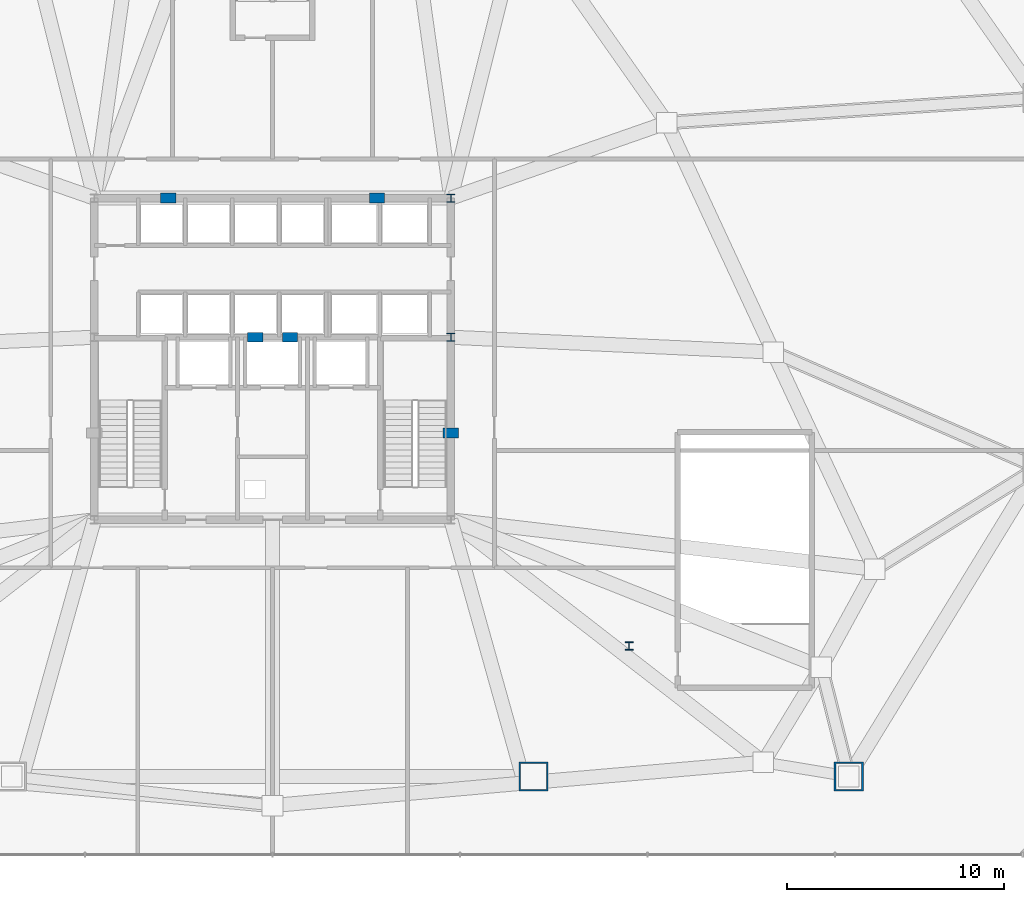
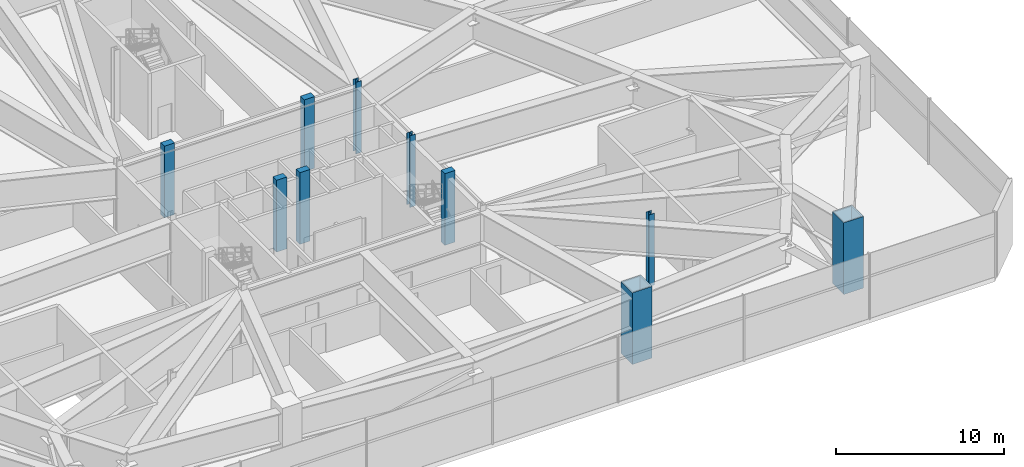
# One storey, part 2 of 29: 10 columns.
"""IFC4 building model written with IfcOpenShell, lengths in metres."""

from ifc_helpers import new_model, si_unit, direction, frame, origin, origin_2d, place, context, subcontext, project, spatial, rectangle, hollow_rectangle, i_section, extrude, material, material_profile, profile_set, type_object, element, save


model = new_model("IFC4")

# Units and contexts
model_context = context("Model", 3, precision=1e-05, world=origin(), true_north=direction((0.0, 1.0)))
body_context = subcontext(model_context, "Body", "Model", "MODEL_VIEW")
ifc_project = project(units=[si_unit("LENGTHUNIT", "METRE"), si_unit("AREAUNIT", "SQUARE_METRE"), si_unit("VOLUMEUNIT", "CUBIC_METRE"), si_unit("PLANEANGLEUNIT", "RADIAN"), si_unit("MASSUNIT", "GRAM", prefix="KILO")], contexts=[model_context])

# Site, building, storey
site_placement = place(None, origin())
site = spatial("IfcSite", under=ifc_project, at=site_placement, CompositionType="ELEMENT")
building_placement = place(site_placement, origin())
building = spatial("IfcBuilding", under=site, at=building_placement, Name="Varakhsha Concourse Tower", CompositionType="ELEMENT")
storey_placement = place(building_placement, frame((0.0, 0.0, 22.0)))
storey = spatial("IfcBuildingStorey", under=building, at=storey_placement, Name="L05", CompositionType="ELEMENT", Elevation=22.0)

# Columns
ifc_material_1 = material(Name="Structural Steel ASTM A992 Grade 50", Category="steel")
ifc_material_profile_1 = material_profile(ifc_material_1, i_section(OverallWidth=0.3740234375, OverallDepth=0.3720703125, WebThickness=0.01611328125, FlangeThickness=0.02587890625, at=origin_2d()), Name="W14X132")
ifc_profile_set_1 = profile_set([ifc_material_profile_1], Name="Structural Steel ASTM A992 Grade 50")
column_type_1 = type_object("IfcColumnType", Name="CL-CORE-W14X132", PredefinedType="COLUMN", material=ifc_profile_set_1)
for number, where, z_axis, x_axis, name in (
    (1, (48.199951171875, 24.800048828125, 0.0), (0.0, 0.0, 1.0), (1.0, 0.0, 0.0), "L05 Core Column CC-ME"),
    (2, (48.199951171875, 31.199951171875, 0.0), (0.0, 0.0, 1.0), (1.0, 0.0, 0.0), "L05 Core Column CC-NE"),
    (3, (56.39990234375, 10.60009765625, 0.0), (0.0, 0.0, 1.0), (1.0, 0.0, 0.0), "L05 Core Column SS-E"),
):
    element("IfcColumn", number, at=place(storey_placement, frame(where, z_axis=z_axis, x_axis=x_axis)), inside=storey, type_object=column_type_1, Name=name, PredefinedType="COLUMN", context=body_context, shape_type="SweptSolid", body=[
        extrude(i_section(OverallWidth=0.3740234375, OverallDepth=0.3720703125, WebThickness=0.01611328125, FlangeThickness=0.02587890625, at=origin_2d()), origin(), (0.0, 0.0, 1.0), 5.199951171875),
    ])
ifc_material_2 = material(Name="Concrete fc 65 MPa", Category="concrete")
ifc_material_profile_2 = material_profile(ifc_material_2, rectangle(XDim=0.699951171875, YDim=0.449951171875, at=origin_2d()), Name="RC 700x450")
ifc_profile_set_2 = profile_set([ifc_material_profile_2], Name="Concrete fc 65 MPa")
column_type_2 = type_object("IfcColumnType", Name="CL-PIL-700X450", PredefinedType="PILASTER", material=ifc_profile_set_2)
for number, where, z_axis, x_axis, name in (
    (4, (48.199951171875, 20.39990234375, 0.0), (0.0, 0.0, 1.0), (1.0, 0.0, 0.0), "L05 Core Boundary Pilaster PIL-E1"),
    (5, (35.199951171875, 31.199951171875, 0.0), (0.0, 0.0, 1.0), (1.0, 0.0, 0.0), "L05 Core Boundary Pilaster PIL-N1"),
    (6, (44.800048828125, 31.199951171875, 0.0), (0.0, 0.0, 1.0), (1.0, 0.0, 0.0), "L05 Core Boundary Pilaster PIL-N2"),
    (7, (39.199951171875, 24.800048828125, 0.0), (0.0, 0.0, 1.0), (1.0, 0.0, 0.0), "L05 Core Boundary Pilaster PIL-M1"),
    (8, (40.800048828125, 24.800048828125, 0.0), (0.0, 0.0, 1.0), (1.0, 0.0, 0.0), "L05 Core Boundary Pilaster PIL-M2"),
):
    element("IfcColumn", number, at=place(storey_placement, frame(where, z_axis=z_axis, x_axis=x_axis)), inside=storey, type_object=column_type_2, Name=name, PredefinedType="PILASTER", context=body_context, shape_type="SweptSolid", body=[
        extrude(rectangle(XDim=0.699951171875, YDim=0.449951171875, at=origin_2d()), origin(), (0.0, 0.0, 1.0), 5.199951171875),
    ])
ifc_material_3 = material(Name="Structural Steel ASTM A572 Grade 50", Category="steel")
ifc_material_profile_3 = material_profile(ifc_material_3, hollow_rectangle(XDim=1.35009765625, YDim=1.35009765625, WallThickness=0.0849609375, at=origin_2d()), Name="BOX 1350x1350x85")
ifc_profile_set_3 = profile_set([ifc_material_profile_3], Name="Structural Steel ASTM A572 Grade 50")
column_type_3 = type_object("IfcColumnType", Name="CL-STILT-1350", PredefinedType="COLUMN", material=ifc_profile_set_3)
for number, where, z_axis, x_axis, name in (
    (9, (52.0, 4.60009765625, 0.0), (0.0, 0.0, 1.0), (1.0, 0.0, 0.0), "L05 Podium Mega-Column PC-S3"),
    (10, (66.5, 4.60009765625, 0.0), (0.0, 0.0, 1.0), (1.0, 0.0, 0.0), "L05 Podium Mega-Column PC-S4"),
):
    element("IfcColumn", number, at=place(storey_placement, frame(where, z_axis=z_axis, x_axis=x_axis)), inside=storey, type_object=column_type_3, Name=name, PredefinedType="COLUMN", context=body_context, shape_type="SweptSolid", body=[
        extrude(hollow_rectangle(XDim=1.35009765625, YDim=1.35009765625, WallThickness=0.0849609375, at=origin_2d()), origin(), (0.0, 0.0, 1.0), 5.199951171875),
    ])

save(model, "model.ifc")
